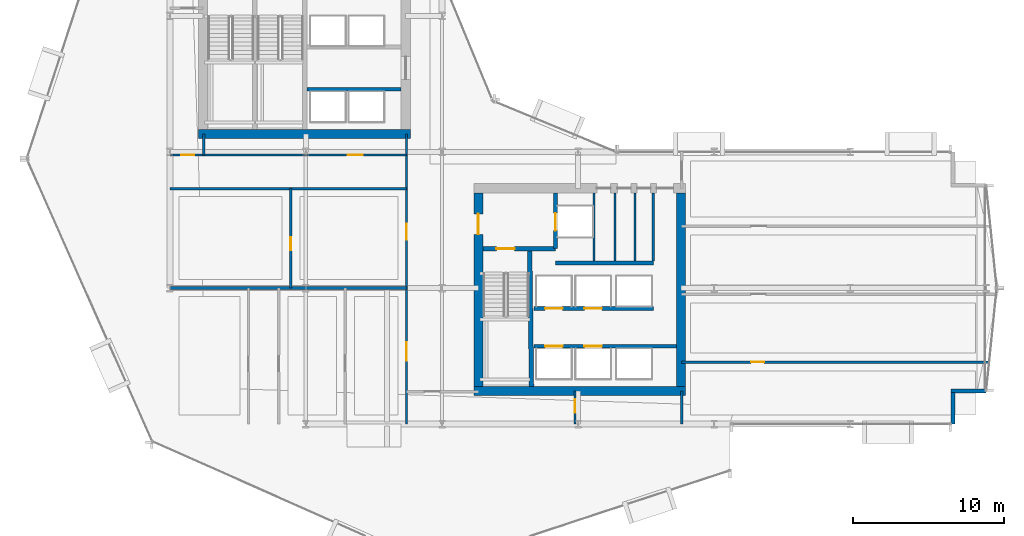
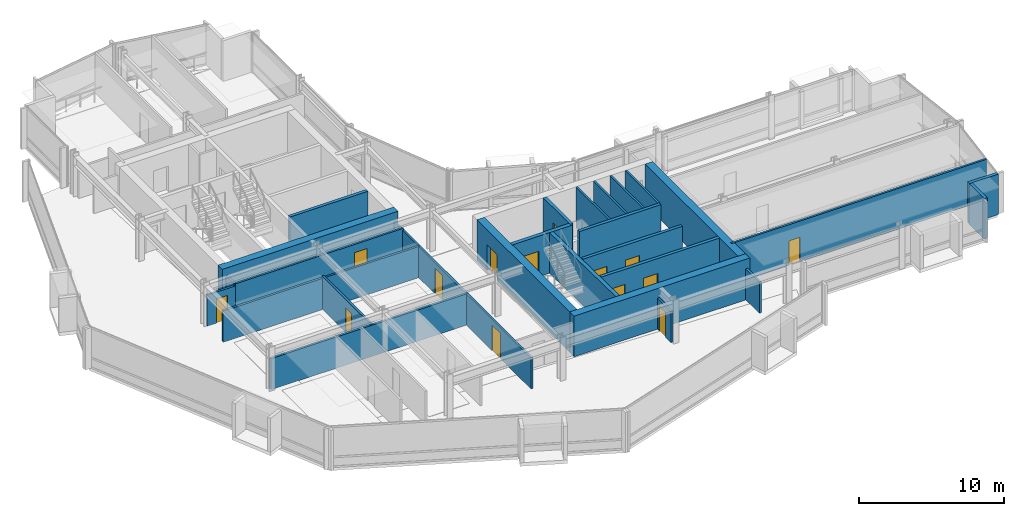
# One storey, part 27 of 34: 27 walls, 14 doors, 14 openings.
"""IFC4 building model written with IfcOpenShell, lengths in metres."""

from ifc_helpers import new_model, si_unit, direction, frame, frame_2d, origin, place, context, subcontext, project, spatial, rectangle, extrude, material, layer, layer_set, type_object, element, fill, save


model = new_model("IFC4")

# Units and contexts
model_context = context("Model", 3, precision=1e-05, world=origin(), true_north=direction((0.0, 1.0)))
body_context = subcontext(model_context, "Body", "Model", "MODEL_VIEW")
ifc_project = project(units=[si_unit("LENGTHUNIT", "METRE"), si_unit("AREAUNIT", "SQUARE_METRE"), si_unit("VOLUMEUNIT", "CUBIC_METRE"), si_unit("PLANEANGLEUNIT", "RADIAN"), si_unit("MASSUNIT", "GRAM", prefix="KILO")], contexts=[model_context])

# Site, building, storey
site_placement = place(None, origin())
site = spatial("IfcSite", under=ifc_project, at=site_placement, CompositionType="ELEMENT")
building_placement = place(site_placement, origin())
building = spatial("IfcBuilding", under=site, at=building_placement, Name="Solvaryn Broadcast Tower", CompositionType="ELEMENT")
storey_placement = place(building_placement, frame((0.0, 0.0, 54.5)))
storey = spatial("IfcBuildingStorey", under=building, at=storey_placement, Name="L12", CompositionType="ELEMENT", Elevation=54.5)

# Walls
ifc_material_1 = material(Name="Concrete f'c 70 MPa", Category="concrete")
ifc_layer_1 = layer(ifc_material_1, 0.60009765625)
ifc_layer_set_1 = layer_set([ifc_layer_1], Name="CW-SHEAR-600")
wall_type_1 = type_object("IfcWallType", Name="CW-SHEAR-600", PredefinedType="SHEAR", material=ifc_layer_set_1)
for number, where, z_axis, x_axis, name in (
    (1, (10.89990234375, 28.199951171875, 0.0), (0.0, 0.0, 1.0), (1.0, 0.0, 0.0), "L12 West Core South Shear Wall"),
    (2, (29.10009765625, 11.199951171875, 0.0), (0.0, 0.0, 1.0), (1.0, 0.0, 0.0), "L12 East Core South Shear Wall"),
):
    element("IfcWall", number, at=place(storey_placement, frame(where, z_axis=z_axis, x_axis=x_axis)), inside=storey, type_object=wall_type_1, Name=name, PredefinedType="SHEAR", context=body_context, shape_type="SweptSolid", body=[
        extrude(rectangle(XDim=14.0, YDim=0.60009765625, at=frame_2d((7.0, 0.0))), origin(), (0.0, 0.0, 1.0), 3.419921875),
    ])

# Wall, opening, door
wall_1_placement = place(storey_placement, frame((29.39990234375, 24.300048828125, 0.0), z_axis=(0.0, 0.0, 1.0), x_axis=(0.0, -1.0, 0.0)))
wall_1 = element("IfcWall", 3, at=wall_1_placement, inside=storey, type_object=wall_type_1, Name="L12 East Core West Shear Wall", PredefinedType="SHEAR", context=body_context, shape_type="SweptSolid", body=[
    extrude(rectangle(XDim=12.800048828125, YDim=0.60009765625, at=frame_2d((6.39990234375, 0.0))), origin(), (0.0, 0.0, 1.0), 3.419921875),
])
opening_1_placement = place(wall_1_placement, frame((1.39990234375, 0.0, 0.0)))
opening_1 = element("IfcOpeningElement", 4, at=opening_1_placement, cuts=wall_1, Name="Opening FD90B", PredefinedType="OPENING", context=body_context, shape_type="SweptSolid", body=[
    extrude(rectangle(XDim=1.35009765625, YDim=2.14990234375, at=frame_2d((0.675048828125, 1.074951171875))), frame((0.0, 0.31005859375, 0.0), z_axis=(0.0, -1.0, 0.0), x_axis=(1.0, 0.0, 0.0)), (0.0, 0.0, 1.0), 0.6201171875),
])
ifc_material_2 = material(Name="Flush Acoustic Steel and Timber Door Assembly", Category="steel")
door_type_1 = type_object("IfcDoorType", Name="FD90-LOBBY-1350X2150", OperationType="NOTDEFINED", PredefinedType="DOOR", material=ifc_material_2)
door_1_placement = place(opening_1_placement, origin())
door_1 = element("IfcDoor", 5, at=door_1_placement, inside=storey, type_object=door_type_1, Name="L12 East FSAE Lobby Door", OperationType="SINGLE_SWING_RIGHT", OverallHeight=2.14990234375, OverallWidth=1.35009765625, PredefinedType="DOOR", context=body_context, shape_type="SweptSolid", body=[
    extrude(rectangle(XDim=1.35009765625, YDim=2.14990234375, at=frame_2d((0.675048828125, 1.074951171875))), frame((0.0, 0.02490234375, 0.0), z_axis=(0.0, -1.0, 0.0), x_axis=(1.0, 0.0, 0.0)), (0.0, 0.0, 1.0), 0.050048828125),
])
fill(opening_1, door_1)

# Walls
wall_2_placement = place(storey_placement, frame((42.800048828125, 11.5, 0.0), z_axis=(0.0, 0.0, 1.0), x_axis=(0.0, 1.0, 0.0)))
element("IfcWall", 6, at=wall_2_placement, inside=storey, type_object=wall_type_1, Name="L12 East Core East Shear Wall", PredefinedType="SHEAR", context=body_context, shape_type="SweptSolid", body=[
    extrude(rectangle(XDim=12.800048828125, YDim=0.60009765625, at=frame_2d((6.39990234375, 0.0))), origin(), (0.0, 0.0, 1.0), 3.419921875),
])
ifc_material_3 = material(Name="Concrete f'c 50 MPa", Category="concrete")
ifc_layer_2 = layer(ifc_material_3, 0.260009765625)
ifc_layer_set_2 = layer_set([ifc_layer_2], Name="EW-PIER-260")
wall_type_2 = type_object("IfcWallType", Name="EW-PIER-260", PredefinedType="SOLIDWALL", material=ifc_layer_set_2)
wall_3_placement = place(storey_placement, frame((60.800048828125, 9.0, 0.0), z_axis=(0.0, 0.0, 1.0), x_axis=(0.0, 1.0, 0.0)))
element("IfcWall", 7, at=wall_3_placement, inside=storey, type_object=wall_type_2, Name="L12 Notched Corner Pier Wall NSE1", PredefinedType="SOLIDWALL", context=body_context, shape_type="SweptSolid", body=[
    extrude(rectangle(XDim=2.080078125, YDim=0.260009765625, at=frame_2d((1.0400390625, 0.0))), origin(), (0.0, 0.0, 1.0), 3.419921875),
])
wall_4_placement = place(storey_placement, frame((60.679931640625, 11.199951171875, 0.0), z_axis=(0.0, 0.0, 1.0), x_axis=(1.0, 0.0, 0.0)))
element("IfcWall", 8, at=wall_4_placement, inside=storey, type_object=wall_type_2, Name="L12 Notched Corner Pier Wall NSE2", PredefinedType="SOLIDWALL", context=body_context, shape_type="SweptSolid", body=[
    extrude(rectangle(XDim=2.320068359375, YDim=0.260009765625, at=frame_2d((1.16015625, 0.0))), origin(), (0.0, 0.0, 1.0), 3.419921875),
])
ifc_material_4 = material(Name="Metal-Stud Service Core Partition")
ifc_layer_3 = layer(ifc_material_4, 0.14990234375)
ifc_layer_set_3 = layer_set([ifc_layer_3], Name="IW-PART-150")
wall_type_3 = type_object("IfcWallType", Name="IW-PART-150", PredefinedType="PARTITIONING", material=ifc_layer_set_3)
for number, where, z_axis, x_axis, name in (
    (9, (37.050048828125, 19.780029296875, 0.0), (0.0, 0.0, 1.0), (0.0, 1.0, 0.0), "L12 Interior Partition IW-L12-CE-FL2E"),
    (10, (38.43994140625, 19.780029296875, 0.0), (0.0, 0.0, 1.0), (0.0, 1.0, 0.0), "L12 Interior Partition IW-L12-CE-V1"),
    (11, (39.77001953125, 19.780029296875, 0.0), (0.0, 0.0, 1.0), (0.0, 1.0, 0.0), "L12 Interior Partition IW-L12-CE-V2"),
    (12, (40.97998046875, 19.780029296875, 0.0), (0.0, 0.0, 1.0), (0.0, 1.0, 0.0), "L12 Interior Partition IW-L12-CE-V3"),
):
    element("IfcWall", number, at=place(storey_placement, frame(where, z_axis=z_axis, x_axis=x_axis)), inside=storey, type_object=wall_type_3, Name=name, PredefinedType="PARTITIONING", context=body_context, shape_type="SweptSolid", body=[
        extrude(rectangle(XDim=4.52001953125, YDim=0.14990234375, at=frame_2d((2.260009765625, 0.0))), origin(), (0.0, 0.0, 1.0), 3.419921875),
    ])

# Wall, opening, door
wall_5_placement = place(storey_placement, frame((35.800048828125, 9.0, 0.0), z_axis=(0.0, 0.0, 1.0), x_axis=(0.0, 1.0, 0.0)))
wall_5 = element("IfcWall", 13, at=wall_5_placement, inside=storey, type_object=wall_type_3, Name="L12 Interior Partition IW-L12-SC-V", PredefinedType="PARTITIONING", context=body_context, shape_type="SweptSolid", body=[
    extrude(rectangle(XDim=2.199951171875, YDim=0.14990234375, at=frame_2d((1.10009765625, 0.0))), origin(), (0.0, 0.0, 1.0), 2.626953125),
])
opening_2_placement = place(wall_5_placement, frame((0.75, 0.0, 0.0)))
opening_2 = element("IfcOpeningElement", 14, at=opening_2_placement, cuts=wall_5, Name="Opening FD60C", PredefinedType="OPENING", context=body_context, shape_type="SweptSolid", body=[
    extrude(rectangle(XDim=0.89990234375, YDim=2.10009765625, at=frame_2d((0.449951171875, 1.050048828125))), frame((0.0, 0.0849609375, 0.0), z_axis=(0.0, -1.0, 0.0), x_axis=(1.0, 0.0, 0.0)), (0.0, 0.0, 1.0), 0.169921875),
])
ifc_material_5 = material(Name="Flush Acoustic Steel and Timber Door Assembly", Category="steel")
door_type_2 = type_object("IfcDoorType", Name="FD60-SERV-900X2100", OperationType="NOTDEFINED", PredefinedType="DOOR", material=ifc_material_5)
door_2_placement = place(opening_2_placement, origin())
door_2 = element("IfcDoor", 15, at=door_2_placement, inside=storey, type_object=door_type_2, Name="L12 Door DR-L12-SC1", OperationType="SINGLE_SWING_RIGHT", OverallHeight=2.10009765625, OverallWidth=0.89990234375, PredefinedType="DOOR", context=body_context, shape_type="SweptSolid", body=[
    extrude(rectangle(XDim=0.89990234375, YDim=2.10009765625, at=frame_2d((0.449951171875, 1.050048828125))), frame((0.0, 0.02490234375, 0.0), z_axis=(0.0, -1.0, 0.0), x_axis=(1.0, 0.0, 0.0)), (0.0, 0.0, 1.0), 0.050048828125),
])
fill(opening_2, door_2)

ifc_material_6 = material(Name="Metal-Stud Gypsum Office Partition")
ifc_layer_4 = layer(ifc_material_6, 0.159912109375)
ifc_layer_set_4 = layer_set([ifc_layer_4], Name="IW-PART-160")
wall_type_4 = type_object("IfcWallType", Name="IW-PART-160", PredefinedType="PARTITIONING", material=ifc_layer_set_4)
wall_6_placement = place(storey_placement, frame((9.0, 26.800048828125, 0.0), z_axis=(0.0, 0.0, 1.0), x_axis=(1.0, 0.0, 0.0)))
wall_6 = element("IfcWall", 16, at=wall_6_placement, inside=storey, type_object=wall_type_4, Name="L12 Interior Partition IW-L12-WM-S", PredefinedType="PARTITIONING", context=body_context, shape_type="SweptSolid", body=[
    extrude(rectangle(XDim=2.25, YDim=0.159912109375, at=frame_2d((1.125, 0.0))), origin(), (0.0, 0.0, 1.0), 2.626953125),
])
opening_3_placement = place(wall_6_placement, frame((0.75, 0.0, 0.0)))
opening_3 = element("IfcOpeningElement", 17, at=opening_3_placement, cuts=wall_6, Name="Opening ID07", PredefinedType="OPENING", context=body_context, shape_type="SweptSolid", body=[
    extrude(rectangle(XDim=0.860107421875, YDim=2.050048828125, at=frame_2d((0.43017578125, 1.02490234375))), frame((0.0, 0.090087890625, 0.0), z_axis=(0.0, -1.0, 0.0), x_axis=(1.0, 0.0, 0.0)), (0.0, 0.0, 1.0), 0.179931640625),
])
ifc_material_7 = material(Name="Flush Acoustic Steel and Timber Door Assembly", Category="steel")
door_type_3 = type_object("IfcDoorType", Name="ID-07-860X2050", OperationType="NOTDEFINED", PredefinedType="DOOR", material=ifc_material_7)
door_3_placement = place(opening_3_placement, origin())
door_3 = element("IfcDoor", 18, at=door_3_placement, inside=storey, type_object=door_type_3, Name="L12 Door DR-L12-WM0", OperationType="SINGLE_SWING_LEFT", OverallHeight=2.050048828125, OverallWidth=0.860107421875, PredefinedType="DOOR", context=body_context, shape_type="SweptSolid", body=[
    extrude(rectangle(XDim=0.860107421875, YDim=2.050048828125, at=frame_2d((0.43017578125, 1.02490234375))), frame((0.0, 0.02490234375, 0.0), z_axis=(0.0, -1.0, 0.0), x_axis=(1.0, 0.0, 0.0)), (0.0, 0.0, 1.0), 0.050048828125),
])
fill(opening_3, door_3)

# Wall, openings, doors
wall_7_placement = place(storey_placement, frame((24.64990234375, 9.0, 0.0), z_axis=(0.0, 0.0, 1.0), x_axis=(0.0, 1.0, 0.0)))
wall_7 = element("IfcWall", 19, at=wall_7_placement, inside=storey, type_object=wall_type_4, Name="L12 Interior Partition IW-L12-SW-EB", PredefinedType="PARTITIONING", context=body_context, shape_type="SweptSolid", body=[
    extrude(rectangle(XDim=19.199951171875, YDim=0.159912109375, at=frame_2d((9.60009765625, 0.0))), origin(), (0.0, 0.0, 1.0), 2.626953125),
])
opening_4_placement = place(wall_7_placement, frame((12.199951171875, 0.0, 0.0)))
opening_4 = element("IfcOpeningElement", 20, at=opening_4_placement, cuts=wall_7, Name="Opening ID03", PredefinedType="OPENING", context=body_context, shape_type="SweptSolid", body=[
    extrude(rectangle(XDim=1.050048828125, YDim=2.14990234375, at=frame_2d((0.52490234375, 1.074951171875))), frame((0.0, 0.090087890625, 0.0), z_axis=(0.0, -1.0, 0.0), x_axis=(1.0, 0.0, 0.0)), (0.0, 0.0, 1.0), 0.179931640625),
])
opening_5_placement = place(wall_7_placement, frame((4.199951171875, 0.0, 0.0)))
opening_5 = element("IfcOpeningElement", 21, at=opening_5_placement, cuts=wall_7, Name="Opening ID04", PredefinedType="OPENING", context=body_context, shape_type="SweptSolid", body=[
    extrude(rectangle(XDim=1.199951171875, YDim=2.14990234375, at=frame_2d((0.60009765625, 1.074951171875))), frame((0.0, 0.090087890625, 0.0), z_axis=(0.0, -1.0, 0.0), x_axis=(1.0, 0.0, 0.0)), (0.0, 0.0, 1.0), 0.179931640625),
])
ifc_material_8 = material(Name="Flush Acoustic Steel and Timber Door Assembly", Category="steel")
door_type_4 = type_object("IfcDoorType", Name="ID-03-1050X2150", OperationType="NOTDEFINED", PredefinedType="DOOR", material=ifc_material_8)
door_4_placement = place(opening_4_placement, origin())
door_4 = element("IfcDoor", 22, at=door_4_placement, inside=storey, type_object=door_type_4, Name="L12 Door DR-L12-SW-EN", OperationType="SINGLE_SWING_RIGHT", OverallHeight=2.14990234375, OverallWidth=1.050048828125, PredefinedType="DOOR", context=body_context, shape_type="SweptSolid", body=[
    extrude(rectangle(XDim=1.050048828125, YDim=2.14990234375, at=frame_2d((0.52490234375, 1.074951171875))), frame((0.0, 0.02490234375, 0.0), z_axis=(0.0, -1.0, 0.0), x_axis=(1.0, 0.0, 0.0)), (0.0, 0.0, 1.0), 0.050048828125),
])
fill(opening_4, door_4)
ifc_material_9 = material(Name="Flush Acoustic Steel and Timber Door Assembly", Category="steel")
door_type_5 = type_object("IfcDoorType", Name="ID-04-1200X2150", OperationType="NOTDEFINED", PredefinedType="DOOR", material=ifc_material_9)
door_5_placement = place(opening_5_placement, origin())
door_5 = element("IfcDoor", 23, at=door_5_placement, inside=storey, type_object=door_type_5, Name="L12 Door DR-L12-SW-ES", OperationType="SINGLE_SWING_LEFT", OverallHeight=2.14990234375, OverallWidth=1.199951171875, PredefinedType="DOOR", context=body_context, shape_type="SweptSolid", body=[
    extrude(rectangle(XDim=1.199951171875, YDim=2.14990234375, at=frame_2d((0.60009765625, 1.074951171875))), frame((0.0, 0.02490234375, 0.0), z_axis=(0.0, -1.0, 0.0), x_axis=(1.0, 0.0, 0.0)), (0.0, 0.0, 1.0), 0.050048828125),
])
fill(opening_5, door_5)

# Wall
wall_8_placement = place(storey_placement, frame((9.0, 24.580078125, 0.0), z_axis=(0.0, 0.0, 1.0), x_axis=(1.0, 0.0, 0.0)))
element("IfcWall", 24, at=wall_8_placement, inside=storey, type_object=wall_type_4, Name="L12 Interior Partition IW-L12-SW-NB", PredefinedType="PARTITIONING", context=body_context, shape_type="SweptSolid", body=[
    extrude(rectangle(XDim=15.64990234375, YDim=0.159912109375, at=frame_2d((7.824951171875, 0.0))), origin(), (0.0, 0.0, 1.0), 2.626953125),
])

# Wall, opening, door
wall_9_placement = place(storey_placement, frame((11.25, 26.800048828125, 0.0), z_axis=(0.0, 0.0, 1.0), x_axis=(1.0, 0.0, 0.0)))
wall_9 = element("IfcWall", 25, at=wall_9_placement, inside=storey, type_object=wall_type_4, Name="L12 Interior Partition IW-L12-SW-N2", PredefinedType="PARTITIONING", context=body_context, shape_type="SweptSolid", body=[
    extrude(rectangle(XDim=13.39990234375, YDim=0.159912109375, at=frame_2d((6.699951171875, 0.0))), origin(), (0.0, 0.0, 1.0), 2.7890625),
])
opening_6_placement = place(wall_9_placement, frame((9.5, 0.0, 0.0)))
opening_6 = element("IfcOpeningElement", 26, at=opening_6_placement, cuts=wall_9, Name="Opening ID02", PredefinedType="OPENING", context=body_context, shape_type="SweptSolid", body=[
    extrude(rectangle(XDim=1.0, YDim=2.10009765625, at=frame_2d((0.5, 1.050048828125))), frame((0.0, 0.090087890625, 0.0), z_axis=(0.0, -1.0, 0.0), x_axis=(1.0, 0.0, 0.0)), (0.0, 0.0, 1.0), 0.179931640625),
])
ifc_material_10 = material(Name="Flush Acoustic Steel and Timber Door Assembly", Category="steel")
door_type_6 = type_object("IfcDoorType", Name="ID-02-1000X2100", OperationType="NOTDEFINED", PredefinedType="DOOR", material=ifc_material_10)
door_6_placement = place(opening_6_placement, origin())
door_6 = element("IfcDoor", 27, at=door_6_placement, inside=storey, type_object=door_type_6, Name="L12 Door DR-L12-SW-ALC", OperationType="SINGLE_SWING_LEFT", OverallHeight=2.10009765625, OverallWidth=1.0, PredefinedType="DOOR", context=body_context, shape_type="SweptSolid", body=[
    extrude(rectangle(XDim=1.0, YDim=2.10009765625, at=frame_2d((0.5, 1.050048828125))), frame((0.0, 0.02490234375, 0.0), z_axis=(0.0, -1.0, 0.0), x_axis=(1.0, 0.0, 0.0)), (0.0, 0.0, 1.0), 0.050048828125),
])
fill(opening_6, door_6)

# Wall
wall_10_placement = place(storey_placement, frame((11.25, 26.800048828125, 0.0), z_axis=(0.0, 0.0, 1.0), x_axis=(0.0, 1.0, 0.0)))
element("IfcWall", 28, at=wall_10_placement, inside=storey, type_object=wall_type_4, Name="L12 Interior Partition IW-L12-SW-ALW", PredefinedType="PARTITIONING", context=body_context, shape_type="SweptSolid", body=[
    extrude(rectangle(XDim=1.39990234375, YDim=0.159912109375, at=frame_2d((0.699951171875, 0.0))), origin(), (0.0, 0.0, 1.0), 2.7890625),
])

# Wall, opening, door
wall_11_placement = place(storey_placement, frame((17.0, 18.0, 0.0), z_axis=(0.0, 0.0, 1.0), x_axis=(0.0, 1.0, 0.0)))
wall_11 = element("IfcWall", 29, at=wall_11_placement, inside=storey, type_object=wall_type_4, Name="L12 Interior Partition IW-L12-SWN-V1", PredefinedType="PARTITIONING", context=body_context, shape_type="SweptSolid", body=[
    extrude(rectangle(XDim=6.580078125, YDim=0.159912109375, at=frame_2d((3.2900390625, 0.0))), origin(), (0.0, 0.0, 1.0), 2.7890625),
])
opening_7_placement = place(wall_11_placement, frame((2.5, 0.0, 0.0)))
opening_7 = element("IfcOpeningElement", 30, at=opening_7_placement, cuts=wall_11, Name="Opening ID07", PredefinedType="OPENING", context=body_context, shape_type="SweptSolid", body=[
    extrude(rectangle(XDim=0.860107421875, YDim=2.050048828125, at=frame_2d((0.43017578125, 1.02490234375))), frame((0.0, 0.090087890625, 0.0), z_axis=(0.0, -1.0, 0.0), x_axis=(1.0, 0.0, 0.0)), (0.0, 0.0, 1.0), 0.179931640625),
])
door_7_placement = place(opening_7_placement, origin())
door_7 = element("IfcDoor", 31, at=door_7_placement, inside=storey, type_object=door_type_3, Name="L12 Door DR-L12-SWN-1", OperationType="SINGLE_SWING_RIGHT", OverallHeight=2.050048828125, OverallWidth=0.860107421875, PredefinedType="DOOR", context=body_context, shape_type="SweptSolid", body=[
    extrude(rectangle(XDim=0.860107421875, YDim=2.050048828125, at=frame_2d((0.43017578125, 1.02490234375))), frame((0.0, 0.02490234375, 0.0), z_axis=(0.0, -1.0, 0.0), x_axis=(1.0, 0.0, 0.0)), (0.0, 0.0, 1.0), 0.050048828125),
])
fill(opening_7, door_7)

# Wall
wall_12_placement = place(storey_placement, frame((42.85009765625, 9.0, 0.0), z_axis=(0.0, 0.0, 1.0), x_axis=(0.0, 1.0, 0.0)))
element("IfcWall", 32, at=wall_12_placement, inside=storey, type_object=wall_type_4, Name="L12 Interior Partition IW-L12-SC-E", PredefinedType="PARTITIONING", context=body_context, shape_type="SweptSolid", body=[
    extrude(rectangle(XDim=2.199951171875, YDim=0.159912109375, at=frame_2d((1.10009765625, 0.0))), origin(), (0.0, 0.0, 1.0), 2.626953125),
])

# Wall, opening, door
wall_13_placement = place(storey_placement, frame((42.85009765625, 13.10009765625, 0.0), z_axis=(0.0, 0.0, 1.0), x_axis=(1.0, 0.0, 0.0)))
wall_13 = element("IfcWall", 33, at=wall_13_placement, inside=storey, type_object=wall_type_4, Name="L12 Interior Partition IW-L12-EW-H1", PredefinedType="PARTITIONING", context=body_context, shape_type="SweptSolid", body=[
    extrude(rectangle(XDim=20.345947265625, YDim=0.159912109375, at=frame_2d((10.1728515625, 0.0))), origin(), (0.0, 0.0, 1.0), 3.419921875),
])
opening_8_placement = place(wall_13_placement, frame((4.60009765625, 0.0, 0.0)))
opening_8 = element("IfcOpeningElement", 34, at=opening_8_placement, cuts=wall_13, Name="Opening ID07", PredefinedType="OPENING", context=body_context, shape_type="SweptSolid", body=[
    extrude(rectangle(XDim=0.860107421875, YDim=2.050048828125, at=frame_2d((0.43017578125, 1.02490234375))), frame((0.0, 0.090087890625, 0.0), z_axis=(0.0, -1.0, 0.0), x_axis=(1.0, 0.0, 0.0)), (0.0, 0.0, 1.0), 0.179931640625),
])
door_8_placement = place(opening_8_placement, origin())
door_8 = element("IfcDoor", 35, at=door_8_placement, inside=storey, type_object=door_type_3, Name="L12 Door DR-L12-EW-1", OperationType="SINGLE_SWING_RIGHT", OverallHeight=2.050048828125, OverallWidth=0.860107421875, PredefinedType="DOOR", context=body_context, shape_type="SweptSolid", body=[
    extrude(rectangle(XDim=0.860107421875, YDim=2.050048828125, at=frame_2d((0.43017578125, 1.02490234375))), frame((0.0, 0.02490234375, 0.0), z_axis=(0.0, -1.0, 0.0), x_axis=(1.0, 0.0, 0.0)), (0.0, 0.0, 1.0), 0.050048828125),
])
fill(opening_8, door_8)

# Walls
ifc_material_11 = material(Name="Acoustic Metal-Stud Gypsum Partition")
ifc_layer_5 = layer(ifc_material_11, 0.179931640625)
ifc_layer_set_5 = layer_set([ifc_layer_5], Name="IW-PART-180")
wall_type_5 = type_object("IfcWallType", Name="IW-PART-180", PredefinedType="PARTITIONING", material=ifc_layer_set_5)
wall_14_placement = place(storey_placement, frame((9.0, 18.0, 0.0), z_axis=(0.0, 0.0, 1.0), x_axis=(1.0, 0.0, 0.0)))
element("IfcWall", 36, at=wall_14_placement, inside=storey, type_object=wall_type_5, Name="L12 Interior Partition IW-L12-SW-HY", PredefinedType="PARTITIONING", context=body_context, shape_type="SweptSolid", body=[
    extrude(rectangle(XDim=15.64990234375, YDim=0.179931640625, at=frame_2d((7.824951171875, 0.0))), origin(), (0.0, 0.0, 1.0), 2.626953125),
])
ifc_material_12 = material(Name="Concrete f'c 60 MPa", Category="concrete")
ifc_layer_6 = layer(ifc_material_12, 0.25)
ifc_layer_set_6 = layer_set([ifc_layer_6], Name="SW-SHAFT-250")
wall_type_6 = type_object("IfcWallType", Name="SW-SHAFT-250", PredefinedType="PARTITIONING", material=ifc_layer_set_6)
wall_15_placement = place(storey_placement, frame((18.070068359375, 31.14990234375, 0.0), z_axis=(0.0, 0.0, 1.0), x_axis=(1.0, 0.0, 0.0)))
element("IfcWall", 37, at=wall_15_placement, inside=storey, type_object=wall_type_6, Name="L12 High-Rise Lift Bank South Wall", PredefinedType="PARTITIONING", context=body_context, shape_type="SweptSolid", body=[
    extrude(rectangle(XDim=6.22998046875, YDim=0.25, at=frame_2d((3.114990234375, 0.0))), origin(), (0.0, 0.0, 1.0), 3.419921875),
])

# Wall, opening, door
wall_16_placement = place(storey_placement, frame((34.5, 20.60009765625, 0.0), z_axis=(0.0, 0.0, 1.0), x_axis=(0.0, 1.0, 0.0)))
wall_16 = element("IfcWall", 38, at=wall_16_placement, inside=storey, type_object=wall_type_6, Name="L12 East FSAE Lobby East Wall", PredefinedType="PARTITIONING", context=body_context, shape_type="SweptSolid", body=[
    extrude(rectangle(XDim=3.699951171875, YDim=0.25, at=frame_2d((1.85009765625, 0.0))), origin(), (0.0, 0.0, 1.0), 3.419921875),
])
opening_9_placement = place(wall_16_placement, frame((1.199951171875, 0.0, 0.0)))
opening_9 = element("IfcOpeningElement", 39, at=opening_9_placement, cuts=wall_16, Name="Opening LD01", PredefinedType="OPENING", context=body_context, shape_type="SweptSolid", body=[
    extrude(rectangle(XDim=1.14990234375, YDim=2.14990234375, at=frame_2d((0.574951171875, 1.074951171875))), frame((0.0, 0.135009765625, 0.0), z_axis=(0.0, -1.0, 0.0), x_axis=(1.0, 0.0, 0.0)), (0.0, 0.0, 1.0), 0.27001953125),
])
ifc_material_13 = material(Name="Flush Acoustic Steel and Timber Door Assembly", Category="steel")
door_type_7 = type_object("IfcDoorType", Name="LD-LIFT-1150X2150", OperationType="NOTDEFINED", PredefinedType="DOOR", material=ifc_material_13)
door_9_placement = place(opening_9_placement, origin())
door_9 = element("IfcDoor", 40, at=door_9_placement, inside=storey, type_object=door_type_7, Name="L12 FL2 Lift Landing Door", OperationType="DOUBLE_DOOR_SLIDING", OverallHeight=2.14990234375, OverallWidth=1.14990234375, PredefinedType="DOOR", context=body_context, shape_type="SweptSolid", body=[
    extrude(rectangle(XDim=1.14990234375, YDim=2.14990234375, at=frame_2d((0.574951171875, 1.074951171875))), frame((0.0, 0.02490234375, 0.0), z_axis=(0.0, -1.0, 0.0), x_axis=(1.0, 0.0, 0.0)), (0.0, 0.0, 1.0), 0.050048828125),
])
fill(opening_9, door_9)

# Wall
wall_17_placement = place(storey_placement, frame((34.5, 19.64990234375, 0.0), z_axis=(0.0, 0.0, 1.0), x_axis=(1.0, 0.0, 0.0)))
element("IfcWall", 41, at=wall_17_placement, inside=storey, type_object=wall_type_6, Name="L12 East Core Restroom South Wall", PredefinedType="PARTITIONING", context=body_context, shape_type="SweptSolid", body=[
    extrude(rectangle(XDim=6.47998046875, YDim=0.25, at=frame_2d((3.239990234375, 0.0))), origin(), (0.0, 0.0, 1.0), 3.419921875),
])

# Wall, openings, doors
wall_18_placement = place(storey_placement, frame((33.070068359375, 14.14990234375, 0.0), z_axis=(0.0, 0.0, 1.0), x_axis=(1.0, 0.0, 0.0)))
wall_18 = element("IfcWall", 42, at=wall_18_placement, inside=storey, type_object=wall_type_6, Name="L12 East Lift Bank South Wall", PredefinedType="PARTITIONING", context=body_context, shape_type="SweptSolid", body=[
    extrude(rectangle(XDim=9.429931640625, YDim=0.25, at=frame_2d((4.71484375, 0.0))), origin(), (0.0, 0.0, 1.0), 3.419921875),
])
opening_10_placement = place(wall_18_placement, frame((0.7548828125, 0.0, 0.0)))
opening_10 = element("IfcOpeningElement", 43, at=opening_10_placement, cuts=wall_18, Name="Opening LD01", PredefinedType="OPENING", context=body_context, shape_type="SweptSolid", body=[
    extrude(rectangle(XDim=1.14990234375, YDim=2.14990234375, at=frame_2d((0.574951171875, 1.074951171875))), frame((0.0, 0.135009765625, 0.0), z_axis=(0.0, -1.0, 0.0), x_axis=(1.0, 0.0, 0.0)), (0.0, 0.0, 1.0), 0.27001953125),
])
opening_11_placement = place(wall_18_placement, frame((3.35498046875, 0.0, 0.0)))
opening_11 = element("IfcOpeningElement", 44, at=opening_11_placement, cuts=wall_18, Name="Opening LD01", PredefinedType="OPENING", context=body_context, shape_type="SweptSolid", body=[
    extrude(rectangle(XDim=1.14990234375, YDim=2.14990234375, at=frame_2d((0.574951171875, 1.074951171875))), frame((0.0, 0.135009765625, 0.0), z_axis=(0.0, -1.0, 0.0), x_axis=(1.0, 0.0, 0.0)), (0.0, 0.0, 1.0), 0.27001953125),
])
door_10_placement = place(opening_10_placement, origin())
door_10 = element("IfcDoor", 45, at=door_10_placement, inside=storey, type_object=door_type_7, Name="L12 PL1 Lift Landing Door", OperationType="DOUBLE_DOOR_SLIDING", OverallHeight=2.14990234375, OverallWidth=1.14990234375, PredefinedType="DOOR", context=body_context, shape_type="SweptSolid", body=[
    extrude(rectangle(XDim=1.14990234375, YDim=2.14990234375, at=frame_2d((0.574951171875, 1.074951171875))), frame((0.0, 0.02490234375, 0.0), z_axis=(0.0, -1.0, 0.0), x_axis=(1.0, 0.0, 0.0)), (0.0, 0.0, 1.0), 0.050048828125),
])
fill(opening_10, door_10)
door_11_placement = place(opening_11_placement, origin())
door_11 = element("IfcDoor", 46, at=door_11_placement, inside=storey, type_object=door_type_7, Name="L12 PL2 Lift Landing Door", OperationType="DOUBLE_DOOR_SLIDING", OverallHeight=2.14990234375, OverallWidth=1.14990234375, PredefinedType="DOOR", context=body_context, shape_type="SweptSolid", body=[
    extrude(rectangle(XDim=1.14990234375, YDim=2.14990234375, at=frame_2d((0.574951171875, 1.074951171875))), frame((0.0, 0.02490234375, 0.0), z_axis=(0.0, -1.0, 0.0), x_axis=(1.0, 0.0, 0.0)), (0.0, 0.0, 1.0), 0.050048828125),
])
fill(opening_11, door_11)

wall_19_placement = place(storey_placement, frame((40.97998046875, 16.64990234375, 0.0), z_axis=(0.0, 0.0, 1.0), x_axis=(-1.0, 0.0, 0.0)))
wall_19 = element("IfcWall", 47, at=wall_19_placement, inside=storey, type_object=wall_type_6, Name="L12 East Lift Bank North Wall", PredefinedType="PARTITIONING", context=body_context, shape_type="SweptSolid", body=[
    extrude(rectangle(XDim=7.909912109375, YDim=0.25, at=frame_2d((3.955078125, 0.0))), origin(), (0.0, 0.0, 1.0), 3.419921875),
])
opening_12_placement = place(wall_19_placement, frame((6.0048828125, 0.0, 0.0)))
opening_12 = element("IfcOpeningElement", 48, at=opening_12_placement, cuts=wall_19, Name="Opening LD01", PredefinedType="OPENING", context=body_context, shape_type="SweptSolid", body=[
    extrude(rectangle(XDim=1.14990234375, YDim=2.14990234375, at=frame_2d((0.574951171875, 1.074951171875))), frame((0.0, 0.135009765625, 0.0), z_axis=(0.0, -1.0, 0.0), x_axis=(1.0, 0.0, 0.0)), (0.0, 0.0, 1.0), 0.27001953125),
])
opening_13_placement = place(wall_19_placement, frame((3.405029296875, 0.0, 0.0)))
opening_13 = element("IfcOpeningElement", 49, at=opening_13_placement, cuts=wall_19, Name="Opening LD01", PredefinedType="OPENING", context=body_context, shape_type="SweptSolid", body=[
    extrude(rectangle(XDim=1.14990234375, YDim=2.14990234375, at=frame_2d((0.574951171875, 1.074951171875))), frame((0.0, 0.135009765625, 0.0), z_axis=(0.0, -1.0, 0.0), x_axis=(1.0, 0.0, 0.0)), (0.0, 0.0, 1.0), 0.27001953125),
])
door_12_placement = place(opening_12_placement, origin())
door_12 = element("IfcDoor", 50, at=door_12_placement, inside=storey, type_object=door_type_7, Name="L12 PL3 Lift Landing Door", OperationType="DOUBLE_DOOR_SLIDING", OverallHeight=2.14990234375, OverallWidth=1.14990234375, PredefinedType="DOOR", context=body_context, shape_type="SweptSolid", body=[
    extrude(rectangle(XDim=1.14990234375, YDim=2.14990234375, at=frame_2d((0.574951171875, 1.074951171875))), frame((0.0, 0.02490234375, 0.0), z_axis=(0.0, -1.0, 0.0), x_axis=(1.0, 0.0, 0.0)), (0.0, 0.0, 1.0), 0.050048828125),
])
fill(opening_12, door_12)
door_13_placement = place(opening_13_placement, origin())
door_13 = element("IfcDoor", 51, at=door_13_placement, inside=storey, type_object=door_type_7, Name="L12 PL4 Lift Landing Door", OperationType="DOUBLE_DOOR_SLIDING", OverallHeight=2.14990234375, OverallWidth=1.14990234375, PredefinedType="DOOR", context=body_context, shape_type="SweptSolid", body=[
    extrude(rectangle(XDim=1.14990234375, YDim=2.14990234375, at=frame_2d((0.574951171875, 1.074951171875))), frame((0.0, 0.02490234375, 0.0), z_axis=(0.0, -1.0, 0.0), x_axis=(1.0, 0.0, 0.0)), (0.0, 0.0, 1.0), 0.050048828125),
])
fill(opening_13, door_13)

# Wall
ifc_material_14 = material(Name="Concrete f'c 70 MPa", Category="concrete")
ifc_layer_7 = layer(ifc_material_14, 0.300048828125)
ifc_layer_set_7 = layer_set([ifc_layer_7], Name="SW-SHAFT-300")
wall_type_7 = type_object("IfcWallType", Name="SW-SHAFT-300", PredefinedType="SHEAR", material=ifc_layer_set_7)
wall_20_placement = place(storey_placement, frame((32.919921875, 11.5, 0.0), z_axis=(0.0, 0.0, 1.0), x_axis=(-0.013244407292, 0.999912288991, 0.0)))
element("IfcWall", 52, at=wall_20_placement, inside=storey, type_object=wall_type_7, Name="L12 Stair 3 East Shear Wall", PredefinedType="SHEAR", context=body_context, shape_type="SweptSolid", body=[
    extrude(rectangle(XDim=9.05078125, YDim=0.300048828125, at=frame_2d((4.525390625, 0.0))), origin(), (0.0, 0.0, 1.0), 3.419921875),
])

# Wall, opening, door
wall_21_placement = place(storey_placement, frame((34.5, 20.60009765625, 0.0), z_axis=(0.0, 0.0, 1.0), x_axis=(-1.0, 0.0, 0.0)))
wall_21 = element("IfcWall", 53, at=wall_21_placement, inside=storey, type_object=wall_type_7, Name="L12 East FSAE Lobby South Wall", PredefinedType="SHEAR", context=body_context, shape_type="SweptSolid", body=[
    extrude(rectangle(XDim=4.800048828125, YDim=0.300048828125, at=frame_2d((2.39990234375, 0.0))), origin(), (0.0, 0.0, 1.0), 3.419921875),
])
opening_14_placement = place(wall_21_placement, frame((2.699951171875, 0.0, 0.0)))
opening_14 = element("IfcOpeningElement", 54, at=opening_14_placement, cuts=wall_21, Name="Opening FD90A", PredefinedType="OPENING", context=body_context, shape_type="SweptSolid", body=[
    extrude(rectangle(XDim=1.199951171875, YDim=2.14990234375, at=frame_2d((0.60009765625, 1.074951171875))), frame((0.0, 0.159912109375, 0.0), z_axis=(0.0, -1.0, 0.0), x_axis=(1.0, 0.0, 0.0)), (0.0, 0.0, 1.0), 0.320068359375),
])
ifc_material_15 = material(Name="Flush Acoustic Steel and Timber Door Assembly", Category="steel")
door_type_8 = type_object("IfcDoorType", Name="FD90-STAIR-1200X2150", OperationType="NOTDEFINED", PredefinedType="DOOR", material=ifc_material_15)
door_14_placement = place(opening_14_placement, origin())
door_14 = element("IfcDoor", 55, at=door_14_placement, inside=storey, type_object=door_type_8, Name="L12 Stair 3 Fire Door", OperationType="SINGLE_SWING_LEFT", OverallHeight=2.14990234375, OverallWidth=1.199951171875, PredefinedType="DOOR", context=body_context, shape_type="SweptSolid", body=[
    extrude(rectangle(XDim=1.199951171875, YDim=2.14990234375, at=frame_2d((0.60009765625, 1.074951171875))), frame((0.0, 0.02490234375, 0.0), z_axis=(0.0, -1.0, 0.0), x_axis=(1.0, 0.0, 0.0)), (0.0, 0.0, 1.0), 0.050048828125),
])
fill(opening_14, door_14)

save(model, "model.ifc")
